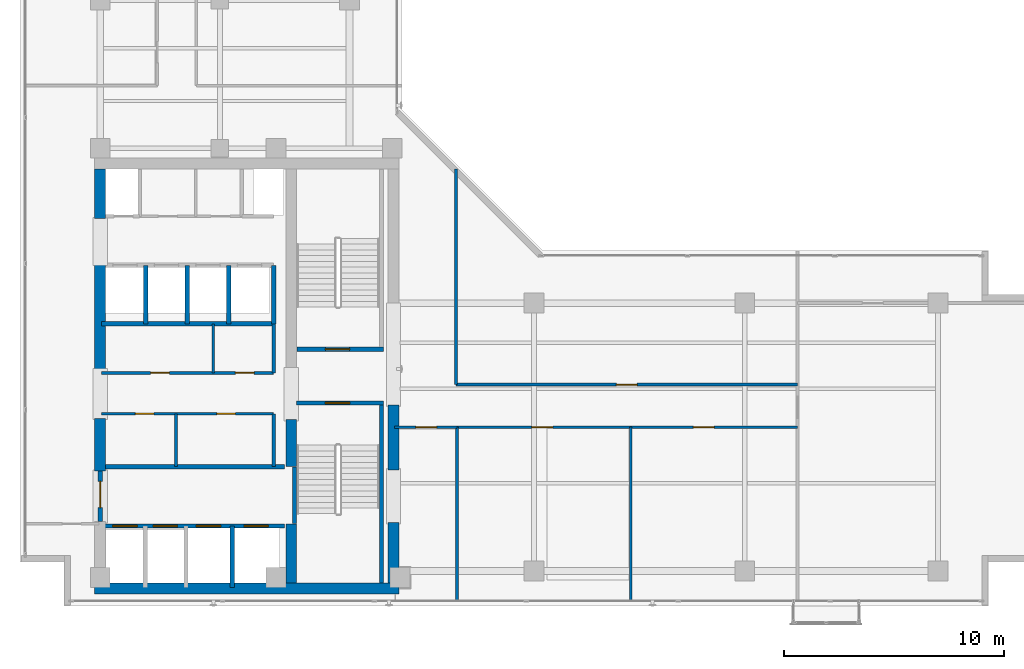
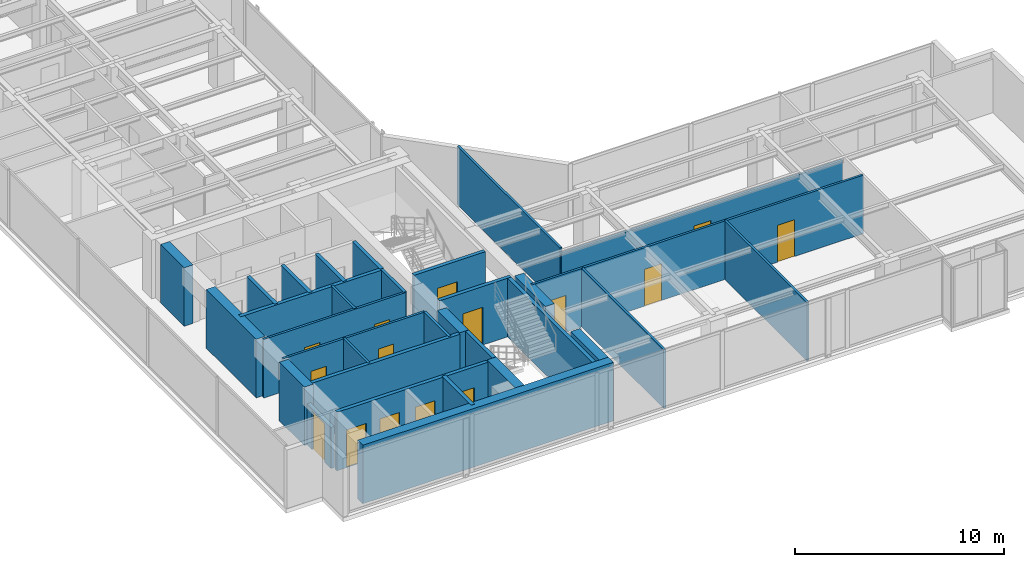
# One storey, part 16 of 23: 33 walls, 15 doors, 15 openings.
"""IFC4 building model written with IfcOpenShell, lengths in metres."""

from ifc_helpers import new_model, si_unit, direction, frame, frame_2d, origin, place, context, subcontext, project, spatial, rectangle, extrude, material, layer, layer_set, type_object, element, fill, save


model = new_model("IFC4")

# Units and contexts
model_context = context("Model", 3, precision=1e-05, world=origin(), true_north=direction((0.0, 1.0)))
body_context = subcontext(model_context, "Body", "Model", "MODEL_VIEW")
ifc_project = project(units=[si_unit("LENGTHUNIT", "METRE"), si_unit("AREAUNIT", "SQUARE_METRE"), si_unit("VOLUMEUNIT", "CUBIC_METRE"), si_unit("PLANEANGLEUNIT", "RADIAN"), si_unit("MASSUNIT", "GRAM", prefix="KILO")], contexts=[model_context])

# Site, building, storey
site_placement = place(None, origin())
site = spatial("IfcSite", under=ifc_project, at=site_placement, CompositionType="ELEMENT")
building_placement = place(site_placement, origin())
building = spatial("IfcBuilding", under=site, at=building_placement, Name="Kolvaren Waterfront Exchange", CompositionType="ELEMENT")
storey_placement = place(building_placement, frame((0.0, 0.0, 335.0)))
storey = spatial("IfcBuildingStorey", under=building, at=storey_placement, Name="L86", CompositionType="ELEMENT", Elevation=335.0)

# Wall, opening, door
ifc_material_1 = material(Name="Precast concrete C40/50", Category="concrete")
ifc_layer_1 = layer(ifc_material_1, 0.199951171875, Name="Precast concrete C40/50")
ifc_layer_set_1 = layer_set([ifc_layer_1], Name="Precast concrete C40/50")
wall_type_1 = type_object("IfcWallType", Name="ARC-FIRE-200", PredefinedType="PARTITIONING", material=ifc_layer_set_1)
wall_1_placement = place(storey_placement, frame((16.39990234375, 12.85009765625, 0.0), z_axis=(0.0, 0.0, 1.0), x_axis=(1.0, 0.0, 0.0)))
wall_1 = element("IfcWall", 1, at=wall_1_placement, inside=storey, type_object=wall_type_1, Name="L86 interior wall PW-L86-ST1-THROAT-S", PredefinedType="PARTITIONING", context=body_context, shape_type="SweptSolid", body=[
    extrude(rectangle(XDim=3.960205078125, YDim=0.199951171875, at=frame_2d((1.97998046875, 0.0))), origin(), (0.0, 0.0, 1.0), 3.419921875),
])
opening_1_placement = place(wall_1_placement, frame((1.3037109375, 0.0, 0.0)))
opening_1 = element("IfcOpeningElement", 2, at=opening_1_placement, cuts=wall_1, Name="Opening FD2", PredefinedType="OPENING", context=body_context, shape_type="SweptSolid", body=[
    extrude(rectangle(XDim=1.10009765625, YDim=2.199951171875, at=frame_2d((0.550048828125, 1.10009765625))), frame((0.0, 0.10986328125, 0.0), z_axis=(0.0, -1.0, 0.0), x_axis=(1.0, 0.0, 0.0)), (0.0, 0.0, 1.0), 0.219970703125),
])
ifc_material_2 = material(Name="Pressed steel smoke-seal fire door", Category="steel")
door_type_1 = type_object("IfcDoorType", Name="ARC-FD-1100", OperationType="NOTDEFINED", PredefinedType="DOOR", material=ifc_material_2)
door_1_placement = place(opening_1_placement, frame((1.10009765625, 0.0, 0.0), z_axis=(0.0, 0.0, 1.0), x_axis=(-1.0, 0.0, 0.0)))
door_1 = element("IfcDoor", 3, at=door_1_placement, inside=storey, type_object=door_type_1, Name="L86 door DR-L86-ST1-IN (FD2)", OperationType="SINGLE_SWING_RIGHT", OverallHeight=2.199951171875, OverallWidth=1.10009765625, PredefinedType="DOOR", context=body_context, shape_type="SweptSolid", body=[
    extrude(rectangle(XDim=1.10009765625, YDim=2.199951171875, at=frame_2d((0.550048828125, 1.10009765625))), frame((0.0, 0.02490234375, 0.0), z_axis=(0.0, -1.0, 0.0), x_axis=(1.0, 0.0, 0.0)), (0.0, 0.0, 1.0), 0.050048828125),
])
fill(opening_1, door_1)

wall_2_placement = place(storey_placement, frame((16.409912109375, 15.300048828125, 0.0), z_axis=(0.0, 0.0, 1.0), x_axis=(1.0, 0.0, 0.0)))
wall_2 = element("IfcWall", 4, at=wall_2_placement, inside=storey, type_object=wall_type_1, Name="L86 interior wall PW-L86-ST2-THROAT-N", PredefinedType="PARTITIONING", context=body_context, shape_type="SweptSolid", body=[
    extrude(rectangle(XDim=3.9501953125, YDim=0.199951171875, at=frame_2d((1.97509765625, 0.0))), origin(), (0.0, 0.0, 1.0), 3.419921875),
])
opening_2_placement = place(wall_2_placement, frame((1.293701171875, 0.0, 0.0)))
opening_2 = element("IfcOpeningElement", 5, at=opening_2_placement, cuts=wall_2, Name="Opening FD2", PredefinedType="OPENING", context=body_context, shape_type="SweptSolid", body=[
    extrude(rectangle(XDim=1.10009765625, YDim=2.199951171875, at=frame_2d((0.550048828125, 1.10009765625))), frame((0.0, 0.10986328125, 0.0), z_axis=(0.0, -1.0, 0.0), x_axis=(1.0, 0.0, 0.0)), (0.0, 0.0, 1.0), 0.219970703125),
])
door_2_placement = place(opening_2_placement, origin())
door_2 = element("IfcDoor", 6, at=door_2_placement, inside=storey, type_object=door_type_1, Name="L86 door DR-L86-ST2-IN (FD2)", OperationType="SINGLE_SWING_LEFT", OverallHeight=2.199951171875, OverallWidth=1.10009765625, PredefinedType="DOOR", context=body_context, shape_type="SweptSolid", body=[
    extrude(rectangle(XDim=1.10009765625, YDim=2.199951171875, at=frame_2d((0.550048828125, 1.10009765625))), frame((0.0, 0.02490234375, 0.0), z_axis=(0.0, -1.0, 0.0), x_axis=(1.0, 0.0, 0.0)), (0.0, 0.0, 1.0), 0.050048828125),
])
fill(opening_2, door_2)

# Wall
wall_3_placement = place(storey_placement, frame((7.5, 9.949951171875, 0.0), z_axis=(0.0, 0.0, 1.0), x_axis=(1.0, 0.0, 0.0)))
element("IfcWall", 7, at=wall_3_placement, inside=storey, type_object=wall_type_1, Name="L86 interior wall PW-L86-FF-N", PredefinedType="PARTITIONING", context=body_context, shape_type="SweptSolid", body=[
    extrude(rectangle(XDim=8.35009765625, YDim=0.199951171875, at=frame_2d((4.175048828125, 0.0))), origin(), (0.0, 0.0, 1.0), 3.419921875),
])

# Wall, opening, door
wall_4_placement = place(storey_placement, frame((7.449951171875, 7.449951171875, 0.0), z_axis=(0.0, 0.0, 1.0), x_axis=(0.0, 1.0, 0.0)))
wall_4 = element("IfcWall", 8, at=wall_4_placement, inside=storey, type_object=wall_type_1, Name="L86 interior wall PW-L86-FF-W-DOOR", PredefinedType="PARTITIONING", context=body_context, shape_type="SweptSolid", body=[
    extrude(rectangle(XDim=2.300048828125, YDim=0.199951171875, at=frame_2d((1.14990234375, 0.0))), origin(), (0.0, 0.0, 1.0), 2.39990234375),
])
opening_3_placement = place(wall_4_placement, frame((0.63330078125, 0.0, 0.0)))
opening_3 = element("IfcOpeningElement", 9, at=opening_3_placement, cuts=wall_4, Name="Opening FD3", PredefinedType="OPENING", context=body_context, shape_type="SweptSolid", body=[
    extrude(rectangle(XDim=1.199951171875, YDim=2.25, at=frame_2d((0.60009765625, 1.125))), frame((0.0, 0.10986328125, 0.0), z_axis=(0.0, -1.0, 0.0), x_axis=(1.0, 0.0, 0.0)), (0.0, 0.0, 1.0), 0.219970703125),
])
ifc_material_3 = material(Name="Pressed steel fire door", Category="steel")
door_type_2 = type_object("IfcDoorType", Name="ARC-FD-1200", OperationType="NOTDEFINED", PredefinedType="DOOR", material=ifc_material_3)
door_3_placement = place(opening_3_placement, frame((1.199951171875, 0.0, 0.0), z_axis=(0.0, 0.0, 1.0), x_axis=(-1.0, 0.0, 0.0)))
door_3 = element("IfcDoor", 10, at=door_3_placement, inside=storey, type_object=door_type_2, Name="L86 door DR-L86-FF-OUT (FD3)", OperationType="SINGLE_SWING_RIGHT", OverallHeight=2.25, OverallWidth=1.199951171875, PredefinedType="DOOR", context=body_context, shape_type="SweptSolid", body=[
    extrude(rectangle(XDim=1.199951171875, YDim=2.25, at=frame_2d((0.60009765625, 1.125))), frame((0.0, 0.02490234375, 0.0), z_axis=(0.0, -1.0, 0.0), x_axis=(1.0, 0.0, 0.0)), (0.0, 0.0, 1.0), 0.050048828125),
])
fill(opening_3, door_3)

# Wall, openings, doors
ifc_material_4 = material(Name="Acoustic gypsum steel stud", Category="steel")
ifc_layer_2 = layer(ifc_material_4, 0.125, Name="Acoustic gypsum steel stud")
ifc_layer_set_2 = layer_set([ifc_layer_2], Name="Acoustic gypsum steel stud")
wall_type_2 = type_object("IfcWallType", Name="ARC-PART-125", PredefinedType="PARTITIONING", material=ifc_layer_set_2)
wall_5_placement = place(storey_placement, frame((7.5, 12.360107421875, 0.0), z_axis=(0.0, 0.0, 1.0), x_axis=(1.0, 0.0, 0.0)))
wall_5 = element("IfcWall", 11, at=wall_5_placement, inside=storey, type_object=wall_type_2, Name="L86 interior wall PW-L86-REC-HI-S", PredefinedType="PARTITIONING", context=body_context, shape_type="SweptSolid", body=[
    extrude(rectangle(XDim=7.85009765625, YDim=0.125, at=frame_2d((3.925048828125, 0.0))), origin(), (0.0, 0.0, 1.0), 3.419921875),
])
opening_4_placement = place(wall_5_placement, frame((1.550048828125, 0.0, 0.0)))
opening_4 = element("IfcOpeningElement", 12, at=opening_4_placement, cuts=wall_5, Name="Opening D01", PredefinedType="OPENING", context=body_context, shape_type="SweptSolid", body=[
    extrude(rectangle(XDim=0.85009765625, YDim=2.14990234375, at=frame_2d((0.425048828125, 1.074951171875))), frame((0.0, 0.072509765625, 0.0), z_axis=(0.0, -1.0, 0.0), x_axis=(1.0, 0.0, 0.0)), (0.0, 0.0, 1.0), 0.14501953125),
])
opening_5_placement = place(wall_5_placement, frame((5.2578125, 0.0, 0.0)))
opening_5 = element("IfcOpeningElement", 13, at=opening_5_placement, cuts=wall_5, Name="Opening D01", PredefinedType="OPENING", context=body_context, shape_type="SweptSolid", body=[
    extrude(rectangle(XDim=0.85009765625, YDim=2.14990234375, at=frame_2d((0.425048828125, 1.074951171875))), frame((0.0, 0.072509765625, 0.0), z_axis=(0.0, -1.0, 0.0), x_axis=(1.0, 0.0, 0.0)), (0.0, 0.0, 1.0), 0.14501953125),
])
ifc_material_5 = material(Name="Oak veneer timber leaf", Category="wood")
door_type_3 = type_object("IfcDoorType", Name="ARC-DR-900", OperationType="NOTDEFINED", PredefinedType="DOOR", material=ifc_material_5)
door_4_placement = place(opening_4_placement, origin())
door_4 = element("IfcDoor", 14, at=door_4_placement, inside=storey, type_object=door_type_3, Name="L86 door DR-L86-REC-HI-D1 (D01)", OperationType="SINGLE_SWING_LEFT", OverallHeight=2.14990234375, OverallWidth=0.85009765625, PredefinedType="DOOR", context=body_context, shape_type="SweptSolid", body=[
    extrude(rectangle(XDim=0.85009765625, YDim=2.14990234375, at=frame_2d((0.425048828125, 1.074951171875))), frame((0.0, 0.02490234375, 0.0), z_axis=(0.0, -1.0, 0.0), x_axis=(1.0, 0.0, 0.0)), (0.0, 0.0, 1.0), 0.050048828125),
])
fill(opening_4, door_4)
door_5_placement = place(opening_5_placement, origin())
door_5 = element("IfcDoor", 15, at=door_5_placement, inside=storey, type_object=door_type_3, Name="L86 door DR-L86-REC-HI-D2 (D01)", OperationType="SINGLE_SWING_RIGHT", OverallHeight=2.14990234375, OverallWidth=0.85009765625, PredefinedType="DOOR", context=body_context, shape_type="SweptSolid", body=[
    extrude(rectangle(XDim=0.85009765625, YDim=2.14990234375, at=frame_2d((0.425048828125, 1.074951171875))), frame((0.0, 0.02490234375, 0.0), z_axis=(0.0, -1.0, 0.0), x_axis=(1.0, 0.0, 0.0)), (0.0, 0.0, 1.0), 0.050048828125),
])
fill(opening_5, door_5)

wall_6_placement = place(storey_placement, frame((7.5, 14.219970703125, 0.0), z_axis=(0.0, 0.0, 1.0), x_axis=(1.0, 0.0, 0.0)))
wall_6 = element("IfcWall", 16, at=wall_6_placement, inside=storey, type_object=wall_type_2, Name="L86 interior wall PW-L86-REC-HI-N", PredefinedType="PARTITIONING", context=body_context, shape_type="SweptSolid", body=[
    extrude(rectangle(XDim=7.85009765625, YDim=0.125, at=frame_2d((3.925048828125, 0.0))), origin(), (0.0, 0.0, 1.0), 3.419921875),
])
opening_6_placement = place(wall_6_placement, frame((2.25244140625, 0.0, 0.0)))
opening_6 = element("IfcOpeningElement", 17, at=opening_6_placement, cuts=wall_6, Name="Opening D01", PredefinedType="OPENING", context=body_context, shape_type="SweptSolid", body=[
    extrude(rectangle(XDim=0.85009765625, YDim=2.14990234375, at=frame_2d((0.425048828125, 1.074951171875))), frame((0.0, 0.072509765625, 0.0), z_axis=(0.0, -1.0, 0.0), x_axis=(1.0, 0.0, 0.0)), (0.0, 0.0, 1.0), 0.14501953125),
])
opening_7_placement = place(wall_6_placement, frame((6.111328125, 0.0, 0.0)))
opening_7 = element("IfcOpeningElement", 18, at=opening_7_placement, cuts=wall_6, Name="Opening D01", PredefinedType="OPENING", context=body_context, shape_type="SweptSolid", body=[
    extrude(rectangle(XDim=0.85009765625, YDim=2.14990234375, at=frame_2d((0.425048828125, 1.074951171875))), frame((0.0, 0.072509765625, 0.0), z_axis=(0.0, -1.0, 0.0), x_axis=(1.0, 0.0, 0.0)), (0.0, 0.0, 1.0), 0.14501953125),
])
door_6_placement = place(opening_6_placement, origin())
door_6 = element("IfcDoor", 19, at=door_6_placement, inside=storey, type_object=door_type_3, Name="L86 door DR-L86-REC-HI-D3 (D01)", OperationType="SINGLE_SWING_LEFT", OverallHeight=2.14990234375, OverallWidth=0.85009765625, PredefinedType="DOOR", context=body_context, shape_type="SweptSolid", body=[
    extrude(rectangle(XDim=0.85009765625, YDim=2.14990234375, at=frame_2d((0.425048828125, 1.074951171875))), frame((0.0, 0.02490234375, 0.0), z_axis=(0.0, -1.0, 0.0), x_axis=(1.0, 0.0, 0.0)), (0.0, 0.0, 1.0), 0.050048828125),
])
fill(opening_6, door_6)
door_7_placement = place(opening_7_placement, origin())
door_7 = element("IfcDoor", 20, at=door_7_placement, inside=storey, type_object=door_type_3, Name="L86 door DR-L86-REC-HI-D4 (D01)", OperationType="SINGLE_SWING_RIGHT", OverallHeight=2.14990234375, OverallWidth=0.85009765625, PredefinedType="DOOR", context=body_context, shape_type="SweptSolid", body=[
    extrude(rectangle(XDim=0.85009765625, YDim=2.14990234375, at=frame_2d((0.425048828125, 1.074951171875))), frame((0.0, 0.02490234375, 0.0), z_axis=(0.0, -1.0, 0.0), x_axis=(1.0, 0.0, 0.0)), (0.0, 0.0, 1.0), 0.050048828125),
])
fill(opening_7, door_7)

# Walls
wall_7_placement = place(storey_placement, frame((10.89990234375, 9.949951171875, 0.0), z_axis=(0.0, 0.0, 1.0), x_axis=(0.0, 1.0, 0.0)))
element("IfcWall", 21, at=wall_7_placement, inside=storey, type_object=wall_type_2, Name="L86 interior wall PW-L86-REC-HI-MS3", PredefinedType="PARTITIONING", context=body_context, shape_type="SweptSolid", body=[
    extrude(rectangle(XDim=2.41015625, YDim=0.125, at=frame_2d((1.205078125, 0.0))), origin(), (0.0, 0.0, 1.0), 3.419921875),
])
wall_8_placement = place(storey_placement, frame((12.60009765625, 14.219970703125, 0.0), z_axis=(0.0, 0.0, 1.0), x_axis=(0.0, 1.0, 0.0)))
element("IfcWall", 22, at=wall_8_placement, inside=storey, type_object=wall_type_2, Name="L86 interior wall PW-L86-REC-HI-MN3", PredefinedType="PARTITIONING", context=body_context, shape_type="SweptSolid", body=[
    extrude(rectangle(XDim=2.22998046875, YDim=0.125, at=frame_2d((1.114990234375, 0.0))), origin(), (0.0, 0.0, 1.0), 3.419921875),
])

# Wall, opening, door
wall_9_placement = place(storey_placement, frame((20.85009765625, 11.75, 0.0), z_axis=(0.0, 0.0, 1.0), x_axis=(1.0, 0.0, 0.0)))
wall_9 = element("IfcWall", 23, at=wall_9_placement, inside=storey, type_object=wall_type_2, Name="L86 interior wall PW-L86-SWST3-N", PredefinedType="PARTITIONING", context=body_context, shape_type="SweptSolid", body=[
    extrude(rectangle(XDim=2.849853515625, YDim=0.125, at=frame_2d((1.4248046875, 0.0))), origin(), (0.0, 0.0, 1.0), 3.419921875),
])
opening_8_placement = place(wall_9_placement, frame((0.971435546875, 0.0, 0.0)))
opening_8 = element("IfcOpeningElement", 24, at=opening_8_placement, cuts=wall_9, Name="Opening D02", PredefinedType="OPENING", context=body_context, shape_type="SweptSolid", body=[
    extrude(rectangle(XDim=0.949951171875, YDim=2.14990234375, at=frame_2d((0.47509765625, 1.074951171875))), frame((0.0, 0.072509765625, 0.0), z_axis=(0.0, -1.0, 0.0), x_axis=(1.0, 0.0, 0.0)), (0.0, 0.0, 1.0), 0.14501953125),
])
ifc_material_6 = material(Name="Oak veneer acoustic timber", Category="wood")
door_type_4 = type_object("IfcDoorType", Name="ARC-DR-950", OperationType="NOTDEFINED", PredefinedType="DOOR", material=ifc_material_6)
door_8_placement = place(opening_8_placement, origin())
door_8 = element("IfcDoor", 25, at=door_8_placement, inside=storey, type_object=door_type_4, Name="L86 door DR-L86-SWST3-D (D02)", OperationType="SINGLE_SWING_LEFT", OverallHeight=2.14990234375, OverallWidth=0.949951171875, PredefinedType="DOOR", context=body_context, shape_type="SweptSolid", body=[
    extrude(rectangle(XDim=0.949951171875, YDim=2.14990234375, at=frame_2d((0.47509765625, 1.074951171875))), frame((0.0, 0.02490234375, 0.0), z_axis=(0.0, -1.0, 0.0), x_axis=(1.0, 0.0, 0.0)), (0.0, 0.0, 1.0), 0.050048828125),
])
fill(opening_8, door_8)

# Wall
wall_10_placement = place(storey_placement, frame((23.699951171875, 3.840087890625, 0.0), z_axis=(0.0, 0.0, 1.0), x_axis=(0.0, 1.0, 0.0)))
element("IfcWall", 26, at=wall_10_placement, inside=storey, type_object=wall_type_2, Name="L86 interior wall PW-L86-ES-W0", PredefinedType="PARTITIONING", context=body_context, shape_type="SweptSolid", body=[
    extrude(rectangle(XDim=7.909912109375, YDim=0.125, at=frame_2d((3.955078125, 0.0))), origin(), (0.0, 0.0, 1.0), 3.419921875),
])

# Wall, openings, doors
wall_11_placement = place(storey_placement, frame((23.699951171875, 11.75, 0.0), z_axis=(0.0, 0.0, 1.0), x_axis=(1.0, 0.0, 0.0)))
wall_11 = element("IfcWall", 27, at=wall_11_placement, inside=storey, type_object=wall_type_2, Name="L86 interior wall PW-L86-ES-CORR", PredefinedType="PARTITIONING", context=body_context, shape_type="SweptSolid", body=[
    extrude(rectangle(XDim=15.5, YDim=0.125, at=frame_2d((7.75, 0.0))), origin(), (0.0, 0.0, 1.0), 3.419921875),
])
opening_9_placement = place(wall_11_placement, frame((3.408447265625, 0.0, 0.0)))
opening_9 = element("IfcOpeningElement", 28, at=opening_9_placement, cuts=wall_11, Name="Opening D02", PredefinedType="OPENING", context=body_context, shape_type="SweptSolid", body=[
    extrude(rectangle(XDim=0.949951171875, YDim=2.14990234375, at=frame_2d((0.47509765625, 1.074951171875))), frame((0.0, 0.072509765625, 0.0), z_axis=(0.0, -1.0, 0.0), x_axis=(1.0, 0.0, 0.0)), (0.0, 0.0, 1.0), 0.14501953125),
])
opening_10_placement = place(wall_11_placement, frame((10.7548828125, 0.0, 0.0)))
opening_10 = element("IfcOpeningElement", 29, at=opening_10_placement, cuts=wall_11, Name="Opening D02", PredefinedType="OPENING", context=body_context, shape_type="SweptSolid", body=[
    extrude(rectangle(XDim=0.949951171875, YDim=2.14990234375, at=frame_2d((0.47509765625, 1.074951171875))), frame((0.0, 0.072509765625, 0.0), z_axis=(0.0, -1.0, 0.0), x_axis=(1.0, 0.0, 0.0)), (0.0, 0.0, 1.0), 0.14501953125),
])
door_9_placement = place(opening_9_placement, origin())
door_9 = element("IfcDoor", 30, at=door_9_placement, inside=storey, type_object=door_type_4, Name="L86 door DR-L86-ES-D-1 (D02)", OperationType="SINGLE_SWING_RIGHT", OverallHeight=2.14990234375, OverallWidth=0.949951171875, PredefinedType="DOOR", context=body_context, shape_type="SweptSolid", body=[
    extrude(rectangle(XDim=0.949951171875, YDim=2.14990234375, at=frame_2d((0.47509765625, 1.074951171875))), frame((0.0, 0.02490234375, 0.0), z_axis=(0.0, -1.0, 0.0), x_axis=(1.0, 0.0, 0.0)), (0.0, 0.0, 1.0), 0.050048828125),
])
fill(opening_9, door_9)
door_10_placement = place(opening_10_placement, origin())
door_10 = element("IfcDoor", 31, at=door_10_placement, inside=storey, type_object=door_type_4, Name="L86 door DR-L86-ES-D-2 (D02)", OperationType="SINGLE_SWING_LEFT", OverallHeight=2.14990234375, OverallWidth=0.949951171875, PredefinedType="DOOR", context=body_context, shape_type="SweptSolid", body=[
    extrude(rectangle(XDim=0.949951171875, YDim=2.14990234375, at=frame_2d((0.47509765625, 1.074951171875))), frame((0.0, 0.02490234375, 0.0), z_axis=(0.0, -1.0, 0.0), x_axis=(1.0, 0.0, 0.0)), (0.0, 0.0, 1.0), 0.050048828125),
])
fill(opening_10, door_10)

# Walls
wall_12_placement = place(storey_placement, frame((31.610107421875, 3.840087890625, 0.0), z_axis=(0.0, 0.0, 1.0), x_axis=(0.0, 1.0, 0.0)))
element("IfcWall", 32, at=wall_12_placement, inside=storey, type_object=wall_type_2, Name="L86 interior wall PW-L86-ES-DIV-1", PredefinedType="PARTITIONING", context=body_context, shape_type="SweptSolid", body=[
    extrude(rectangle(XDim=7.909912109375, YDim=0.125, at=frame_2d((3.955078125, 0.0))), origin(), (0.0, 0.0, 1.0), 3.419921875),
])
wall_13_placement = place(storey_placement, frame((23.64990234375, 13.68994140625, 0.0), z_axis=(0.0, 0.0, 1.0), x_axis=(0.0, 1.0, 0.0)))
element("IfcWall", 33, at=wall_13_placement, inside=storey, type_object=wall_type_2, Name="L86 interior wall PW-L86-EN-W0", PredefinedType="PARTITIONING", context=body_context, shape_type="SweptSolid", body=[
    extrude(rectangle(XDim=9.820068359375, YDim=0.125, at=frame_2d((4.91015625, 0.0))), origin(), (0.0, 0.0, 1.0), 3.419921875),
])

# Wall, opening, door
wall_14_placement = place(storey_placement, frame((23.64990234375, 13.68994140625, 0.0), z_axis=(0.0, 0.0, 1.0), x_axis=(1.0, 0.0, 0.0)))
wall_14 = element("IfcWall", 34, at=wall_14_placement, inside=storey, type_object=wall_type_2, Name="L86 interior wall PW-L86-EN-CORR", PredefinedType="PARTITIONING", context=body_context, shape_type="SweptSolid", body=[
    extrude(rectangle(XDim=15.550048828125, YDim=0.125, at=frame_2d((7.77490234375, 0.0))), origin(), (0.0, 0.0, 1.0), 3.1201171875),
])
opening_11_placement = place(wall_14_placement, frame((7.300048828125, 0.0, 0.0)))
opening_11 = element("IfcOpeningElement", 35, at=opening_11_placement, cuts=wall_14, Name="Opening D02", PredefinedType="OPENING", context=body_context, shape_type="SweptSolid", body=[
    extrude(rectangle(XDim=0.949951171875, YDim=2.14990234375, at=frame_2d((0.47509765625, 1.074951171875))), frame((0.0, 0.072509765625, 0.0), z_axis=(0.0, -1.0, 0.0), x_axis=(1.0, 0.0, 0.0)), (0.0, 0.0, 1.0), 0.14501953125),
])
door_11_placement = place(opening_11_placement, origin())
door_11 = element("IfcDoor", 36, at=door_11_placement, inside=storey, type_object=door_type_4, Name="L86 door DR-L86-EN-D-1 (D02)", OperationType="SINGLE_SWING_RIGHT", OverallHeight=2.14990234375, OverallWidth=0.949951171875, PredefinedType="DOOR", context=body_context, shape_type="SweptSolid", body=[
    extrude(rectangle(XDim=0.949951171875, YDim=2.14990234375, at=frame_2d((0.47509765625, 1.074951171875))), frame((0.0, 0.02490234375, 0.0), z_axis=(0.0, -1.0, 0.0), x_axis=(1.0, 0.0, 0.0)), (0.0, 0.0, 1.0), 0.050048828125),
])
fill(opening_11, door_11)

# Walls
ifc_material_7 = material(Name="Gypsum fireboard steel stud", Category="steel")
ifc_layer_3 = layer(ifc_material_7, 0.14990234375, Name="Gypsum fireboard steel stud")
ifc_layer_set_3 = layer_set([ifc_layer_3], Name="Gypsum fireboard steel stud")
wall_type_3 = type_object("IfcWallType", Name="ARC-PART-150", PredefinedType="PARTITIONING", material=ifc_layer_set_3)
wall_15_placement = place(storey_placement, frame((15.35009765625, 9.949951171875, 0.0), z_axis=(0.0, 0.0, 1.0), x_axis=(0.0, 1.0, 0.0)))
element("IfcWall", 37, at=wall_15_placement, inside=storey, type_object=wall_type_3, Name="L86 interior wall PW-L86-REC-HI-E1", PredefinedType="PARTITIONING", context=body_context, shape_type="SweptSolid", body=[
    extrude(rectangle(XDim=2.41015625, YDim=0.14990234375, at=frame_2d((1.205078125, 0.0))), origin(), (0.0, 0.0, 1.0), 3.419921875),
])
wall_16_placement = place(storey_placement, frame((15.35009765625, 14.219970703125, 0.0), z_axis=(0.0, 0.0, 1.0), x_axis=(0.0, 1.0, 0.0)))
element("IfcWall", 38, at=wall_16_placement, inside=storey, type_object=wall_type_3, Name="L86 interior wall PW-L86-REC-HI-E2", PredefinedType="PARTITIONING", context=body_context, shape_type="SweptSolid", body=[
    extrude(rectangle(XDim=2.22998046875, YDim=0.14990234375, at=frame_2d((1.114990234375, 0.0))), origin(), (0.0, 0.0, 1.0), 3.419921875),
])
ifc_material_8 = material(Name="Concrete C40/50", Category="concrete")
ifc_layer_4 = layer(ifc_material_8, 0.199951171875, Name="Concrete C40/50")
ifc_layer_set_4 = layer_set([ifc_layer_4], Name="Concrete C40/50")
wall_type_4 = type_object("IfcWallType", Name="ARC-SHAFT-200", PredefinedType="PARTITIONING", material=ifc_layer_set_4)
wall_17_placement = place(storey_placement, frame((16.300048828125, 7.360107421875, 0.0), z_axis=(0.0, 0.0, 1.0), x_axis=(0.0, 1.0, 0.0)))
element("IfcWall", 39, at=wall_17_placement, inside=storey, type_object=wall_type_4, Name="L86 structural stairwell wall PW-L86-ST1-W", PredefinedType="SHEAR", context=body_context, shape_type="SweptSolid", body=[
    extrude(rectangle(XDim=2.579833984375, YDim=0.199951171875, at=frame_2d((1.2900390625, 0.0))), origin(), (0.0, 0.0, 1.0), 3.419921875),
])
wall_18_placement = place(storey_placement, frame((20.260009765625, 4.659912109375, 0.0), z_axis=(0.0, 0.0, 1.0), x_axis=(0.0, 1.0, 0.0)))
element("IfcWall", 40, at=wall_18_placement, inside=storey, type_object=wall_type_4, Name="L86 structural stairwell wall PW-L86-ST1-E", PredefinedType="SHEAR", context=body_context, shape_type="SweptSolid", body=[
    extrude(rectangle(XDim=8.090087890625, YDim=0.199951171875, at=frame_2d((4.044921875, 0.0))), origin(), (0.0, 0.0, 1.0), 3.419921875),
])

# Wall, openings, doors
wall_19_placement = place(storey_placement, frame((7.5, 7.25, 0.0), z_axis=(0.0, 0.0, 1.0), x_axis=(1.0, 0.0, 0.0)))
wall_19 = element("IfcWall", 41, at=wall_19_placement, inside=storey, type_object=wall_type_4, Name="L86 interior wall PW-L86-FF-S", PredefinedType="PARTITIONING", context=body_context, shape_type="SweptSolid", body=[
    extrude(rectangle(XDim=8.35009765625, YDim=0.199951171875, at=frame_2d((4.175048828125, 0.0))), origin(), (0.0, 0.0, 1.0), 3.419921875),
])
opening_12_placement = place(wall_19_placement, frame((0.530029296875, 0.0, 0.0)))
opening_12 = element("IfcOpeningElement", 42, at=opening_12_placement, cuts=wall_19, Name="Opening LD1", PredefinedType="OPENING", context=body_context, shape_type="SweptSolid", body=[
    extrude(rectangle(XDim=1.10009765625, YDim=2.199951171875, at=frame_2d((0.550048828125, 1.10009765625))), frame((0.0, 0.10986328125, 0.0), z_axis=(0.0, -1.0, 0.0), x_axis=(1.0, 0.0, 0.0)), (0.0, 0.0, 1.0), 0.219970703125),
])
opening_13_placement = place(wall_19_placement, frame((2.3701171875, 0.0, 0.0)))
opening_13 = element("IfcOpeningElement", 43, at=opening_13_placement, cuts=wall_19, Name="Opening LD1", PredefinedType="OPENING", context=body_context, shape_type="SweptSolid", body=[
    extrude(rectangle(XDim=1.10009765625, YDim=2.199951171875, at=frame_2d((0.550048828125, 1.10009765625))), frame((0.0, 0.10986328125, 0.0), z_axis=(0.0, -1.0, 0.0), x_axis=(1.0, 0.0, 0.0)), (0.0, 0.0, 1.0), 0.219970703125),
])
opening_14_placement = place(wall_19_placement, frame((4.330078125, 0.0, 0.0)))
opening_14 = element("IfcOpeningElement", 44, at=opening_14_placement, cuts=wall_19, Name="Opening LD1", PredefinedType="OPENING", context=body_context, shape_type="SweptSolid", body=[
    extrude(rectangle(XDim=1.10009765625, YDim=2.199951171875, at=frame_2d((0.550048828125, 1.10009765625))), frame((0.0, 0.10986328125, 0.0), z_axis=(0.0, -1.0, 0.0), x_axis=(1.0, 0.0, 0.0)), (0.0, 0.0, 1.0), 0.219970703125),
])
opening_15_placement = place(wall_19_placement, frame((6.5, 0.0, 0.0)))
opening_15 = element("IfcOpeningElement", 45, at=opening_15_placement, cuts=wall_19, Name="Opening LD1", PredefinedType="OPENING", context=body_context, shape_type="SweptSolid", body=[
    extrude(rectangle(XDim=1.10009765625, YDim=2.199951171875, at=frame_2d((0.550048828125, 1.10009765625))), frame((0.0, 0.10986328125, 0.0), z_axis=(0.0, -1.0, 0.0), x_axis=(1.0, 0.0, 0.0)), (0.0, 0.0, 1.0), 0.219970703125),
])
ifc_material_9 = material(Name="Stainless steel sliding landing door", Category="steel")
door_type_5 = type_object("IfcDoorType", Name="ARC-LD-FF", OperationType="SLIDING_TO_LEFT", PredefinedType="DOOR", material=ifc_material_9)
door_12_placement = place(opening_12_placement, origin())
door_12 = element("IfcDoor", 46, at=door_12_placement, inside=storey, type_object=door_type_5, Name="L86 door LD-L86-FFL1 (LD1)", OperationType="SLIDING_TO_LEFT", OverallHeight=2.199951171875, OverallWidth=1.10009765625, PredefinedType="DOOR", context=body_context, shape_type="SweptSolid", body=[
    extrude(rectangle(XDim=1.10009765625, YDim=2.199951171875, at=frame_2d((0.550048828125, 1.10009765625))), frame((0.0, 0.02490234375, 0.0), z_axis=(0.0, -1.0, 0.0), x_axis=(1.0, 0.0, 0.0)), (0.0, 0.0, 1.0), 0.050048828125),
])
fill(opening_12, door_12)
door_13_placement = place(opening_13_placement, origin())
door_13 = element("IfcDoor", 47, at=door_13_placement, inside=storey, type_object=door_type_5, Name="L86 door LD-L86-FFL2 (LD1)", OperationType="SLIDING_TO_LEFT", OverallHeight=2.199951171875, OverallWidth=1.10009765625, PredefinedType="DOOR", context=body_context, shape_type="SweptSolid", body=[
    extrude(rectangle(XDim=1.10009765625, YDim=2.199951171875, at=frame_2d((0.550048828125, 1.10009765625))), frame((0.0, 0.02490234375, 0.0), z_axis=(0.0, -1.0, 0.0), x_axis=(1.0, 0.0, 0.0)), (0.0, 0.0, 1.0), 0.050048828125),
])
fill(opening_13, door_13)
door_14_placement = place(opening_14_placement, origin())
door_14 = element("IfcDoor", 48, at=door_14_placement, inside=storey, type_object=door_type_5, Name="L86 door LD-L86-GL1 (LD1)", OperationType="SLIDING_TO_LEFT", OverallHeight=2.199951171875, OverallWidth=1.10009765625, PredefinedType="DOOR", context=body_context, shape_type="SweptSolid", body=[
    extrude(rectangle(XDim=1.10009765625, YDim=2.199951171875, at=frame_2d((0.550048828125, 1.10009765625))), frame((0.0, 0.02490234375, 0.0), z_axis=(0.0, -1.0, 0.0), x_axis=(1.0, 0.0, 0.0)), (0.0, 0.0, 1.0), 0.050048828125),
])
fill(opening_14, door_14)
door_15_placement = place(opening_15_placement, origin())
door_15 = element("IfcDoor", 49, at=door_15_placement, inside=storey, type_object=door_type_5, Name="L86 door LD-L86-GL2 (LD1)", OperationType="SLIDING_TO_LEFT", OverallHeight=2.199951171875, OverallWidth=1.10009765625, PredefinedType="DOOR", context=body_context, shape_type="SweptSolid", body=[
    extrude(rectangle(XDim=1.10009765625, YDim=2.199951171875, at=frame_2d((0.550048828125, 1.10009765625))), frame((0.0, 0.02490234375, 0.0), z_axis=(0.0, -1.0, 0.0), x_axis=(1.0, 0.0, 0.0)), (0.0, 0.0, 1.0), 0.050048828125),
])
fill(opening_15, door_15)

# Walls
wall_20_placement = place(storey_placement, frame((13.4599609375, 4.449951171875, 0.0), z_axis=(0.0, 0.0, 1.0), x_axis=(0.0, 1.0, 0.0)))
element("IfcWall", 50, at=wall_20_placement, inside=storey, type_object=wall_type_4, Name="L86 interior wall PW-L86-SH1-DIV-134", PredefinedType="PARTITIONING", context=body_context, shape_type="SweptSolid", body=[
    extrude(rectangle(XDim=2.800048828125, YDim=0.199951171875, at=frame_2d((1.39990234375, 0.0))), origin(), (0.0, 0.0, 1.0), 3.419921875),
])
wall_21_placement = place(storey_placement, frame((7.5, 16.449951171875, 0.0), z_axis=(0.0, 0.0, 1.0), x_axis=(1.0, 0.0, 0.0)))
element("IfcWall", 51, at=wall_21_placement, inside=storey, type_object=wall_type_4, Name="L86 interior wall PW-L86-REC-PM-N", PredefinedType="PARTITIONING", context=body_context, shape_type="SweptSolid", body=[
    extrude(rectangle(XDim=7.85009765625, YDim=0.199951171875, at=frame_2d((3.925048828125, 0.0))), origin(), (0.0, 0.0, 1.0), 3.419921875),
])
for number, where, z_axis, x_axis, name in (
    (52, (15.35009765625, 16.449951171875, 0.0), (0.0, 0.0, 1.0), (0.0, 1.0, 0.0), "L86 interior wall PW-L86-PH-E"),
    (53, (9.52001953125, 16.449951171875, 0.0), (0.0, 0.0, 1.0), (0.0, 1.0, 0.0), "L86 interior wall PW-L86-SH4-DIV-95"),
    (54, (11.409912109375, 16.449951171875, 0.0), (0.0, 0.0, 1.0), (0.0, 1.0, 0.0), "L86 interior wall PW-L86-SH4-DIV-114"),
    (55, (13.300048828125, 16.449951171875, 0.0), (0.0, 0.0, 1.0), (0.0, 1.0, 0.0), "L86 interior wall PW-L86-SH4-DIV-133"),
):
    element("IfcWall", number, at=place(storey_placement, frame(where, z_axis=z_axis, x_axis=x_axis)), inside=storey, type_object=wall_type_4, Name=name, PredefinedType="PARTITIONING", context=body_context, shape_type="SweptSolid", body=[
        extrude(rectangle(XDim=2.670166015625, YDim=0.199951171875, at=frame_2d((1.3349609375, 0.0))), origin(), (0.0, 0.0, 1.0), 3.419921875),
    ])
ifc_material_10 = material(Name="Concrete C50/60", Category="concrete")
ifc_layer_5 = layer(ifc_material_10, 0.5, Name="Concrete C50/60")
ifc_layer_set_5 = layer_set([ifc_layer_5], Name="Concrete C50/60")
wall_type_5 = type_object("IfcWallType", Name="STR-CWALL-500", PredefinedType="SHEAR", material=ifc_layer_set_5)
wall_22_placement = place(storey_placement, frame((7.199951171875, 4.39990234375, 0.0), z_axis=(0.0, 0.0, 1.0), x_axis=(1.0, 0.0, 0.0)))
element("IfcWall", 56, at=wall_22_placement, inside=storey, type_object=wall_type_5, Name="L86 rear-core shear wall S", PredefinedType="SHEAR", context=body_context, shape_type="SweptSolid", body=[
    extrude(rectangle(XDim=13.85009765625, YDim=0.5, at=frame_2d((6.925048828125, 0.0))), origin(), (0.0, 0.0, 1.0), 3.419921875),
])
wall_23_placement = place(storey_placement, frame((7.449951171875, 9.75, 0.0), z_axis=(0.0, 0.0, 1.0), x_axis=(0.0, 1.0, 0.0)))
element("IfcWall", 57, at=wall_23_placement, inside=storey, type_object=wall_type_5, Name="L86 rear-core shear wall W2A", PredefinedType="SHEAR", context=body_context, shape_type="SweptSolid", body=[
    extrude(rectangle(XDim=2.39990234375, YDim=0.5, at=frame_2d((1.199951171875, 0.0))), origin(), (0.0, 0.0, 1.0), 3.419921875),
])
wall_24_placement = place(storey_placement, frame((7.449951171875, 14.35009765625, 0.0), z_axis=(0.0, 0.0, 1.0), x_axis=(0.0, 1.0, 0.0)))
element("IfcWall", 58, at=wall_24_placement, inside=storey, type_object=wall_type_5, Name="L86 rear-core shear wall W2B", PredefinedType="SHEAR", context=body_context, shape_type="SweptSolid", body=[
    extrude(rectangle(XDim=4.809814453125, YDim=0.5, at=frame_2d((2.40478515625, 0.0))), origin(), (0.0, 0.0, 1.0), 3.419921875),
])
wall_25_placement = place(storey_placement, frame((7.449951171875, 21.239990234375, 0.0), z_axis=(0.0, 0.0, 1.0), x_axis=(0.0, 1.0, 0.0)))
element("IfcWall", 59, at=wall_25_placement, inside=storey, type_object=wall_type_5, Name="L86 rear-core shear wall W3", PredefinedType="SHEAR", context=body_context, shape_type="SweptSolid", body=[
    extrude(rectangle(XDim=2.260009765625, YDim=0.5, at=frame_2d((1.1298828125, 0.0))), origin(), (0.0, 0.0, 1.0), 3.419921875),
])
wall_26_placement = place(storey_placement, frame((20.800048828125, 4.64990234375, 0.0), z_axis=(0.0, 0.0, 1.0), x_axis=(0.0, 1.0, 0.0)))
element("IfcWall", 60, at=wall_26_placement, inside=storey, type_object=wall_type_5, Name="L86 rear-core shear wall E1", PredefinedType="SHEAR", context=body_context, shape_type="SweptSolid", body=[
    extrude(rectangle(XDim=2.75, YDim=0.5, at=frame_2d((1.375, 0.0))), origin(), (0.0, 0.0, 1.0), 3.419921875),
])
wall_27_placement = place(storey_placement, frame((20.800048828125, 9.800048828125, 0.0), z_axis=(0.0, 0.0, 1.0), x_axis=(0.0, 1.0, 0.0)))
element("IfcWall", 61, at=wall_27_placement, inside=storey, type_object=wall_type_5, Name="L86 rear-core shear wall E2", PredefinedType="SHEAR", context=body_context, shape_type="SweptSolid", body=[
    extrude(rectangle(XDim=2.949951171875, YDim=0.5, at=frame_2d((1.47509765625, 0.0))), origin(), (0.0, 0.0, 1.0), 3.419921875),
])
wall_28_placement = place(storey_placement, frame((16.14990234375, 4.64990234375, 0.0), z_axis=(0.0, 0.0, 1.0), x_axis=(0.0, 1.0, 0.0)))
element("IfcWall", 62, at=wall_28_placement, inside=storey, type_object=wall_type_5, Name="L86 rear-core shear wall M1", PredefinedType="SHEAR", context=body_context, shape_type="SweptSolid", body=[
    extrude(rectangle(XDim=2.7001953125, YDim=0.5, at=frame_2d((1.35009765625, 0.0))), origin(), (0.0, 0.0, 1.0), 3.419921875),
])
wall_29_placement = place(storey_placement, frame((16.14990234375, 9.949951171875, 0.0), z_axis=(0.0, 0.0, 1.0), x_axis=(0.0, 1.0, 0.0)))
element("IfcWall", 63, at=wall_29_placement, inside=storey, type_object=wall_type_5, Name="L86 rear-core shear wall M2", PredefinedType="SHEAR", context=body_context, shape_type="SweptSolid", body=[
    extrude(rectangle(XDim=2.150146484375, YDim=0.5, at=frame_2d((1.0751953125, 0.0))), origin(), (0.0, 0.0, 1.0), 3.419921875),
])

save(model, "model.ifc")
